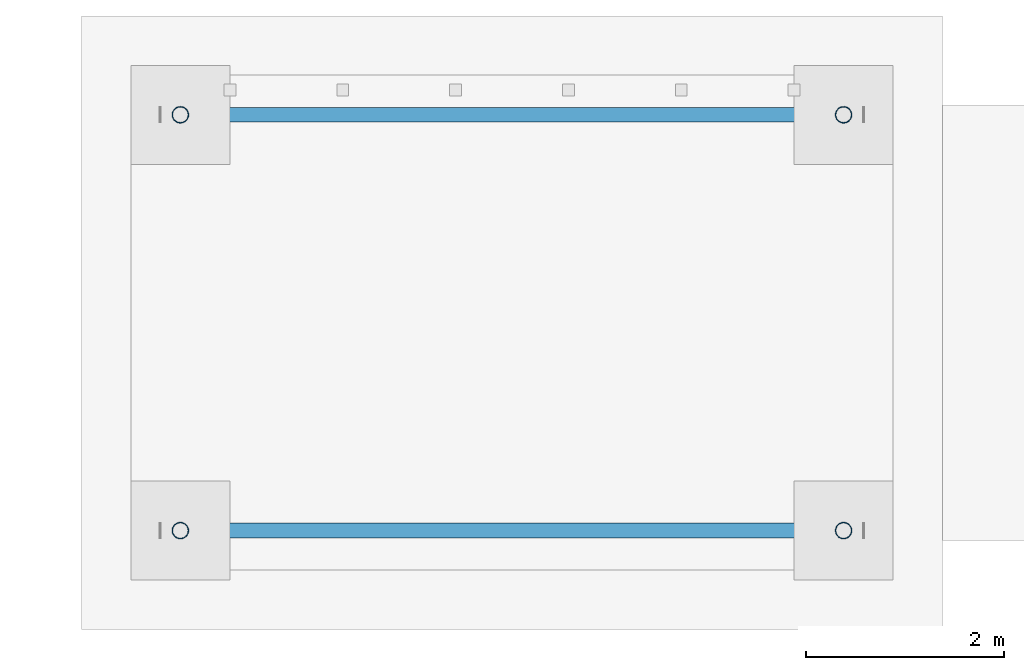
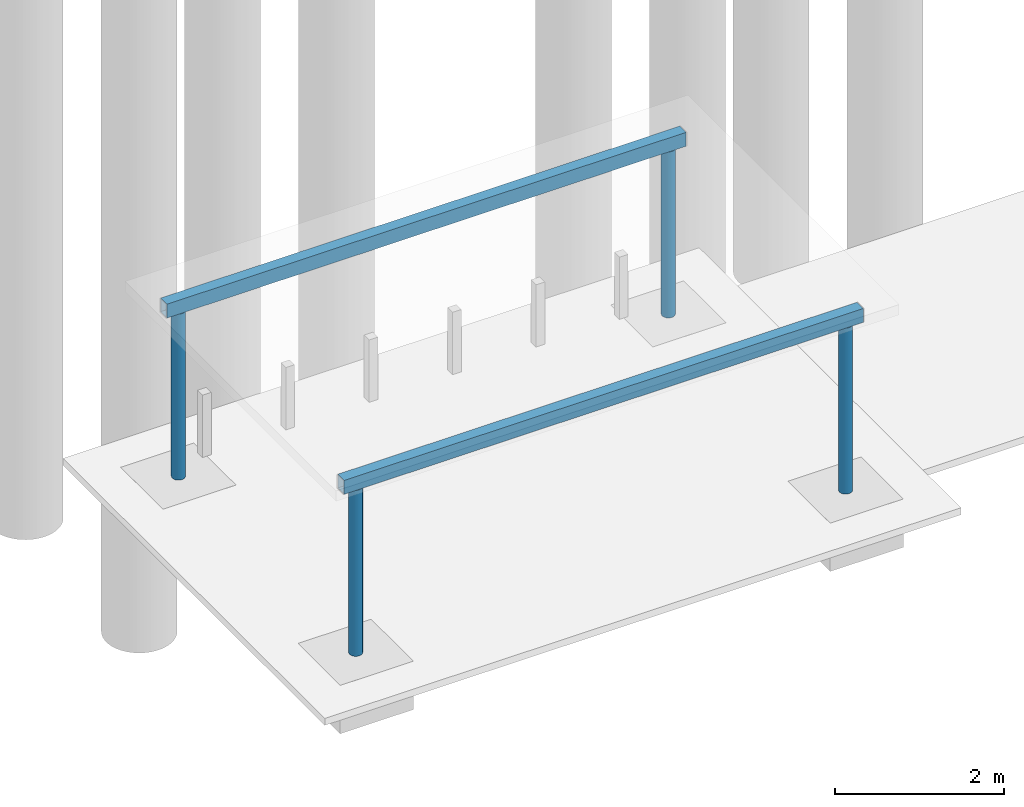
# One storey, part 21 of 99: 6 members.
"""IFC4 building model written with IfcOpenShell, lengths in metres."""

from ifc_helpers import new_model, si_unit, direction, frame, origin, origin_2d, place, context, subcontext, project, spatial, hollow_rectangle, hollow_circle, extrude, material, material_profile, profile_set, type_object, element, save


model = new_model("IFC4")

# Units and contexts
model_context = context("Model", 3, precision=1e-05, world=origin(), true_north=direction((0.0, 1.0)))
body_context = subcontext(model_context, "Body", "Model", "MODEL_VIEW")
ifc_project = project(units=[si_unit("LENGTHUNIT", "METRE"), si_unit("AREAUNIT", "SQUARE_METRE"), si_unit("VOLUMEUNIT", "CUBIC_METRE"), si_unit("PLANEANGLEUNIT", "RADIAN"), si_unit("MASSUNIT", "GRAM", prefix="KILO")], contexts=[model_context])

# Site, building, storey
site_placement = place(None, origin())
site = spatial("IfcSite", under=ifc_project, at=site_placement, CompositionType="ELEMENT")
building_placement = place(site_placement, origin())
building = spatial("IfcBuilding", under=site, at=building_placement, Name="Cour d'Honneur Mobility Palace", CompositionType="ELEMENT")
storey_placement = place(building_placement, origin())
storey = spatial("IfcBuildingStorey", under=building, at=storey_placement, Name="L00", CompositionType="ELEMENT", Elevation=0.0)

# Members
ifc_material_1 = material(Name="Steel S355", Category="steel")
ifc_material_profile_1 = material_profile(ifc_material_1, hollow_rectangle(XDim=0.14990234375, YDim=0.199951171875, WallThickness=0.008056640625, at=origin_2d()), Name="RHS 200x150x8")
ifc_profile_set_1 = profile_set([ifc_material_profile_1], Name="Steel S355")
member_type_1 = type_object("IfcMemberType", Name="Shelter beam RHS 200x150x8", PredefinedType="RAFTER", material=ifc_profile_set_1)
for number, where, z_axis, x_axis, name in (
    (1, (115.0, 15.39990234375, 2.5), (1.0, 0.0, 0.0), (0.0, 1.0, 0.0), "Shelter beam SB-E1"),
    (2, (115.0, 19.60009765625, 2.5), (1.0, 0.0, 0.0), (0.0, 1.0, 0.0), "Shelter beam SB-E2"),
):
    element("IfcMember", number, at=place(storey_placement, frame(where, z_axis=z_axis, x_axis=x_axis)), inside=storey, type_object=member_type_1, Name=name, PredefinedType="RAFTER", context=body_context, shape_type="SweptSolid", body=[
        extrude(hollow_rectangle(XDim=0.14990234375, YDim=0.199951171875, WallThickness=0.008056640625, at=origin_2d()), origin(), (0.0, 0.0, 1.0), 7.10009765625),
    ])
ifc_material_2 = material(Name="Steel S355", Category="steel")
ifc_material_profile_2 = material_profile(ifc_material_2, hollow_circle(Radius=0.084228515625, WallThickness=0.00634765625, at=origin_2d()), Name="CHS 168.3x6.3")
ifc_profile_set_2 = profile_set([ifc_material_profile_2], Name="Steel S355")
member_type_2 = type_object("IfcMemberType", Name="Shelter post CHS 168.3x6.3", PredefinedType="POST", material=ifc_profile_set_2)
for number, where, z_axis, x_axis, name in (
    (3, (115.199951171875, 15.39990234375, 0.0), (0.0, 0.0, 1.0), (1.0, 0.0, 0.0), "Shelter post SM-E1"),
    (4, (115.199951171875, 19.60009765625, 0.0), (0.0, 0.0, 1.0), (1.0, 0.0, 0.0), "Shelter post SM-E2"),
    (5, (121.89990234375, 15.39990234375, 0.0), (0.0, 0.0, 1.0), (1.0, 0.0, 0.0), "Shelter post SM-E3"),
    (6, (121.89990234375, 19.60009765625, 0.0), (0.0, 0.0, 1.0), (1.0, 0.0, 0.0), "Shelter post SM-E4"),
):
    element("IfcMember", number, at=place(storey_placement, frame(where, z_axis=z_axis, x_axis=x_axis)), inside=storey, type_object=member_type_2, Name=name, PredefinedType="POST", context=body_context, shape_type="SweptSolid", body=[
        extrude(hollow_circle(Radius=0.084228515625, WallThickness=0.00634765625, at=origin_2d()), origin(), (0.0, 0.0, 1.0), 2.39990234375),
    ])

save(model, "model.ifc")
